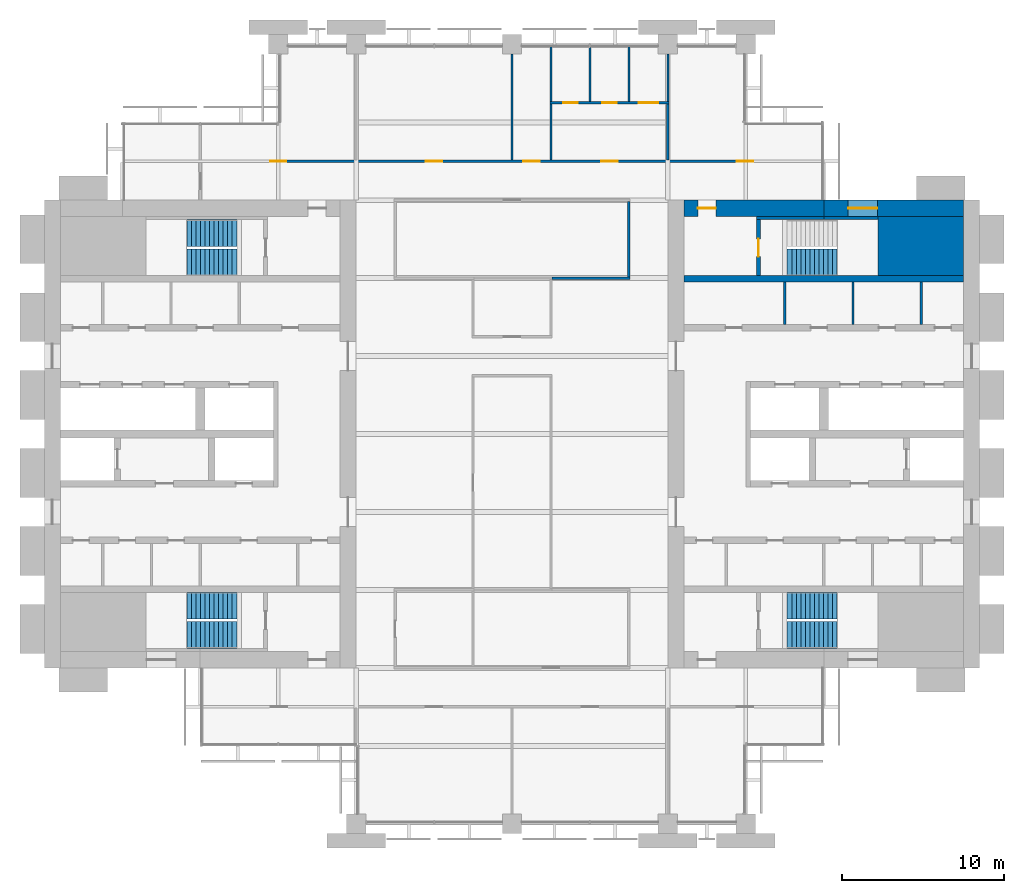
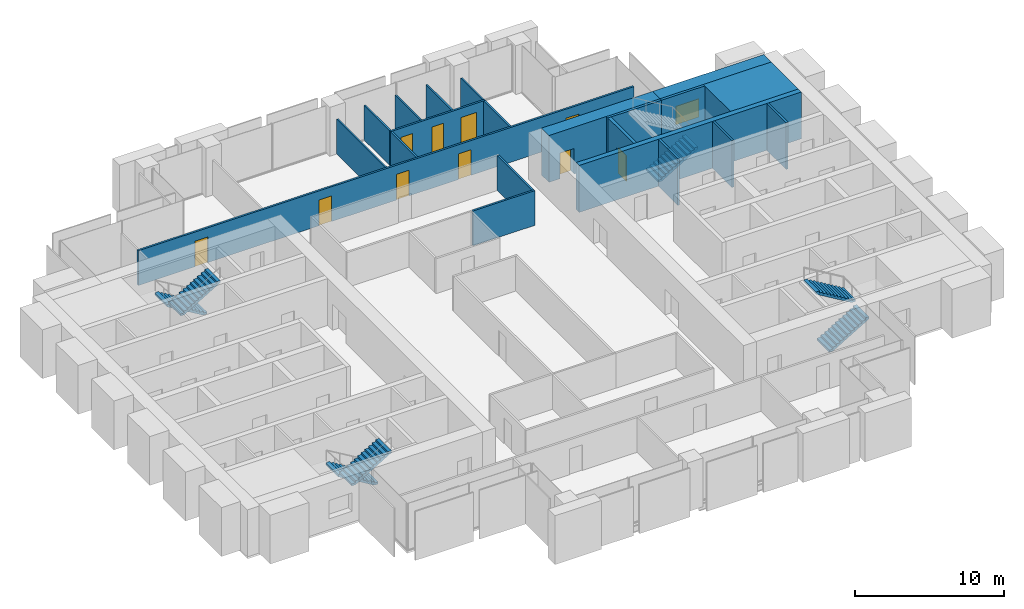
# One storey, part 12 of 14: 21 walls, 10 doors, 7 stair flights, 1 window, 11 openings, 4 elements without a shape of their own.
"""IFC4 building model written with IfcOpenShell, lengths in metres."""

from ifc_helpers import new_model, si_unit, direction, frame, frame_2d, origin, place, context, subcontext, project, spatial, polyline, rectangle, outline, extrude, material, layer, layer_set, type_object, element, fill, aggregate, save


model = new_model("IFC4")

# Units and contexts
model_context = context("Model", 3, precision=1e-05, world=origin(), true_north=direction((0.0, 1.0)))
body_context = subcontext(model_context, "Body", "Model", "MODEL_VIEW")
ifc_project = project(units=[si_unit("LENGTHUNIT", "METRE"), si_unit("AREAUNIT", "SQUARE_METRE"), si_unit("VOLUMEUNIT", "CUBIC_METRE"), si_unit("PLANEANGLEUNIT", "RADIAN"), si_unit("MASSUNIT", "GRAM", prefix="KILO")], contexts=[model_context])

# Site, building, storey
site_placement = place(None, origin())
site = spatial("IfcSite", under=ifc_project, at=site_placement, CompositionType="ELEMENT")
building_placement = place(site_placement, origin())
building = spatial("IfcBuilding", under=site, at=building_placement, Name="Baori Bourse Tower", CompositionType="ELEMENT")
storey_placement = place(building_placement, frame((0.0, 0.0, 160.10009765625)))
storey = spatial("IfcBuildingStorey", under=building, at=storey_placement, Name="L35", CompositionType="ELEMENT", Elevation=160.10009765625)

# Walls
ifc_material_1 = material(Name="Concrete f'c 60 MPa", Category="concrete")
wall_type_1 = type_object("IfcWallType", Name="Core corner block f'c 60", PredefinedType="SHEAR", material=ifc_material_1)
wall_1_placement = place(storey_placement, frame((51.35009765625, 35.574951171875, 0.0), z_axis=(0.0, 0.0, 1.0), x_axis=(1.0, 0.0, 0.0)))
element("IfcWall", 1, at=wall_1_placement, inside=storey, type_object=wall_type_1, Name="Core wall E27", PredefinedType="SHEAR", context=body_context, shape_type="SweptSolid", body=[
    extrude(rectangle(XDim=5.25, YDim=3.64990234375, at=frame_2d((2.625, 0.0))), origin(), (0.0, 0.0, 1.0), 3.83984375),
])
ifc_material_2 = material(Name="Blockwork partition", Category="masonry")
ifc_layer_1 = layer(ifc_material_2, 0.14990234375)
ifc_layer_set_1 = layer_set([ifc_layer_1], Name="Core partition 150")
wall_type_2 = type_object("IfcWallType", Name="Core partition 150", PredefinedType="PARTITIONING", material=ifc_layer_set_1)
for number, where, z_axis, x_axis, name in (
    (2, (54.0, 30.75, 0.0), (0.0, 0.0, 1.0), (0.0, 1.0, 0.0), "Partition wall E23"),
    (3, (49.800048828125, 30.75, 0.0), (0.0, 0.0, 1.0), (0.0, 1.0, 0.0), "Partition wall E24"),
    (4, (45.60009765625, 30.75, 0.0), (0.0, 0.0, 1.0), (0.0, 1.0, 0.0), "Partition wall E25"),
):
    element("IfcWall", number, at=place(storey_placement, frame(where, z_axis=z_axis, x_axis=x_axis)), inside=storey, type_object=wall_type_2, Name=name, PredefinedType="PARTITIONING", context=body_context, shape_type="SweptSolid", body=[
        extrude(rectangle(XDim=2.60009765625, YDim=0.14990234375, at=frame_2d((1.300048828125, 0.0))), origin(), (0.0, 0.0, 1.0), 3.83984375),
    ])

# Wall, opening, window
ifc_material_3 = material(Name="Concrete f'c 60 MPa", Category="concrete")
ifc_layer_2 = layer(ifc_material_3, 1.0)
ifc_layer_set_2 = layer_set([ifc_layer_2], Name="Core wall 1000 f'c 60")
wall_type_3 = type_object("IfcWallType", Name="Core wall 1000 f'c 60", PredefinedType="SHEAR", material=ifc_layer_set_2)
wall_2_placement = place(storey_placement, frame((48.0, 37.89990234375, 0.0), z_axis=(0.0, 0.0, 1.0), x_axis=(1.0, 0.0, 0.0)))
wall_2 = element("IfcWall", 5, at=wall_2_placement, inside=storey, type_object=wall_type_3, Name="Core wall E31", PredefinedType="SHEAR", context=body_context, shape_type="SweptSolid", body=[
    extrude(rectangle(XDim=8.60009765625, YDim=1.0, at=frame_2d((4.300048828125, 0.0))), origin(), (0.0, 0.0, 1.0), 3.83984375),
])
opening_1_placement = place(wall_2_placement, frame((1.5, 0.0, 0.89990234375)))
opening_1 = element("IfcOpeningElement", 6, at=opening_1_placement, cuts=wall_2, Name="Opening L35-KW204", PredefinedType="OPENING", context=body_context, shape_type="SweptSolid", body=[
    extrude(rectangle(XDim=1.800048828125, YDim=1.5, at=frame_2d((0.89990234375, 0.75))), frame((0.0, 0.510009765625, 0.0), z_axis=(0.0, -1.0, 0.0), x_axis=(1.0, 0.0, 0.0)), (0.0, 0.0, 1.0), 1.02001953125),
])
ifc_material_4 = material(Name="Pale anodised aluminium", Category="aluminium")
window_type = type_object("IfcWindowType", Name="Stair window 1800 x 1500", PartitioningType="SINGLE_PANEL", PredefinedType="WINDOW", material=ifc_material_4)
window_placement = place(opening_1_placement, origin())
window = element("IfcWindow", 7, at=window_placement, inside=storey, type_object=window_type, Name="Stair window E L35 4", OverallHeight=1.5, OverallWidth=1.800048828125, PartitioningType="SINGLE_PANEL", PredefinedType="WINDOW", context=body_context, shape_type="SweptSolid", body=[
    extrude(rectangle(XDim=1.800048828125, YDim=1.5, at=frame_2d((0.89990234375, 0.75))), frame((0.0, 0.030029296875, 0.0), z_axis=(0.0, -1.0, 0.0), x_axis=(1.0, 0.0, 0.0)), (0.0, 0.0, 1.0), 0.06005859375),
])
fill(opening_1, window)

# Wall, opening, door
wall_3_placement = place(storey_placement, frame((39.39990234375, 37.89990234375, 0.0), z_axis=(0.0, 0.0, 1.0), x_axis=(1.0, 0.0, 0.0)))
wall_3 = element("IfcWall", 8, at=wall_3_placement, inside=storey, type_object=wall_type_3, Name="Core wall E32", PredefinedType="SHEAR", context=body_context, shape_type="SweptSolid", body=[
    extrude(rectangle(XDim=8.60009765625, YDim=1.0, at=frame_2d((4.300048828125, 0.0))), origin(), (0.0, 0.0, 1.0), 3.83984375),
])
opening_2_placement = place(wall_3_placement, frame((0.85009765625, 0.0, 0.0)))
opening_2 = element("IfcOpeningElement", 9, at=opening_2_placement, cuts=wall_3, Name="Opening L35-D204", PredefinedType="OPENING", context=body_context, shape_type="SweptSolid", body=[
    extrude(rectangle(XDim=1.10009765625, YDim=2.10009765625, at=frame_2d((0.550048828125, 1.050048828125))), frame((0.0, 0.510009765625, 0.0), z_axis=(0.0, -1.0, 0.0), x_axis=(1.0, 0.0, 0.0)), (0.0, 0.0, 1.0), 1.02001953125),
])
ifc_material_5 = material(Name="Painted steel door", Category="steel")
door_type_1 = type_object("IfcDoorType", Name="Stair door 1100", OperationType="SINGLE_SWING_LEFT", PredefinedType="DOOR", material=ifc_material_5)
door_1_placement = place(opening_2_placement, origin())
door_1 = element("IfcDoor", 10, at=door_1_placement, inside=storey, type_object=door_type_1, Name="Stair vestibule door B E L35", OperationType="SINGLE_SWING_LEFT", OverallHeight=2.10009765625, OverallWidth=1.10009765625, PredefinedType="DOOR", context=body_context, shape_type="SweptSolid", body=[
    extrude(rectangle(XDim=1.10009765625, YDim=2.10009765625, at=frame_2d((0.550048828125, 1.050048828125))), frame((0.0, 0.02490234375, 0.0), z_axis=(0.0, -1.0, 0.0), x_axis=(1.0, 0.0, 0.0)), (0.0, 0.0, 1.0), 0.050048828125),
])
fill(opening_2, door_1)

# Wall
ifc_material_6 = material(Name="Gypsum board partition")
ifc_layer_3 = layer(ifc_material_6, 0.14990234375)
ifc_layer_set_3 = layer_set([ifc_layer_3], Name="Corridor partition 150")
wall_type_4 = type_object("IfcWallType", Name="Corridor partition 150", PredefinedType="PARTITIONING", material=ifc_layer_set_3)
wall_4_placement = place(storey_placement, frame((31.27490234375, 33.60009765625, 0.0), z_axis=(0.0, 0.0, 1.0), x_axis=(1.0, 0.0, 0.0)))
element("IfcWall", 11, at=wall_4_placement, inside=storey, type_object=wall_type_4, Name="Partition", PredefinedType="PARTITIONING", context=body_context, shape_type="SweptSolid", body=[
    extrude(rectangle(XDim=4.800048828125, YDim=0.14990234375, at=frame_2d((2.39990234375, 0.0))), origin(), (0.0, 0.0, 1.0), 2.849365234375),
])

# Wall, openings, doors
wall_5_placement = place(storey_placement, frame((9.52490234375, 40.800048828125, 0.0), z_axis=(0.0, 0.0, 1.0), x_axis=(1.0, 0.0, 0.0)))
wall_5 = element("IfcWall", 12, at=wall_5_placement, inside=storey, type_object=wall_type_4, Name="Partition", PredefinedType="PARTITIONING", context=body_context, shape_type="SweptSolid", body=[
    extrude(rectangle(XDim=38.375, YDim=0.14990234375, at=frame_2d((19.1875, 0.0))), origin(), (0.0, 0.0, 1.0), 2.849365234375),
])
opening_3_placement = place(wall_5_placement, frame((4.375, 0.0, 0.0)))
opening_3 = element("IfcOpeningElement", 13, at=opening_3_placement, cuts=wall_5, Name="Opening L35-D08", PredefinedType="OPENING", context=body_context, shape_type="SweptSolid", body=[
    extrude(rectangle(XDim=1.0, YDim=2.10009765625, at=frame_2d((0.5, 1.050048828125))), frame((0.0, 0.0849609375, 0.0), z_axis=(0.0, -1.0, 0.0), x_axis=(1.0, 0.0, 0.0)), (0.0, 0.0, 1.0), 0.169921875),
])
opening_4_placement = place(wall_5_placement, frame((13.97509765625, 0.0, 0.0)))
opening_4 = element("IfcOpeningElement", 14, at=opening_4_placement, cuts=wall_5, Name="Opening L35-D09", PredefinedType="OPENING", context=body_context, shape_type="SweptSolid", body=[
    extrude(rectangle(XDim=1.0, YDim=2.10009765625, at=frame_2d((0.5, 1.050048828125))), frame((0.0, 0.0849609375, 0.0), z_axis=(0.0, -1.0, 0.0), x_axis=(1.0, 0.0, 0.0)), (0.0, 0.0, 1.0), 0.169921875),
])
opening_5_placement = place(wall_5_placement, frame((19.97509765625, 0.0, 0.0)))
opening_5 = element("IfcOpeningElement", 15, at=opening_5_placement, cuts=wall_5, Name="Opening L35-D10", PredefinedType="OPENING", context=body_context, shape_type="SweptSolid", body=[
    extrude(rectangle(XDim=1.0, YDim=2.10009765625, at=frame_2d((0.5, 1.050048828125))), frame((0.0, 0.0849609375, 0.0), z_axis=(0.0, -1.0, 0.0), x_axis=(1.0, 0.0, 0.0)), (0.0, 0.0, 1.0), 0.169921875),
])
opening_6_placement = place(wall_5_placement, frame((24.77490234375, 0.0, 0.0)))
opening_6 = element("IfcOpeningElement", 16, at=opening_6_placement, cuts=wall_5, Name="Opening L35-D11", PredefinedType="OPENING", context=body_context, shape_type="SweptSolid", body=[
    extrude(rectangle(XDim=1.0, YDim=2.10009765625, at=frame_2d((0.5, 1.050048828125))), frame((0.0, 0.0849609375, 0.0), z_axis=(0.0, -1.0, 0.0), x_axis=(1.0, 0.0, 0.0)), (0.0, 0.0, 1.0), 0.169921875),
])
opening_7_placement = place(wall_5_placement, frame((33.125, 0.0, 0.0)))
opening_7 = element("IfcOpeningElement", 17, at=opening_7_placement, cuts=wall_5, Name="Opening L35-D12", PredefinedType="OPENING", context=body_context, shape_type="SweptSolid", body=[
    extrude(rectangle(XDim=1.0, YDim=2.10009765625, at=frame_2d((0.5, 1.050048828125))), frame((0.0, 0.0849609375, 0.0), z_axis=(0.0, -1.0, 0.0), x_axis=(1.0, 0.0, 0.0)), (0.0, 0.0, 1.0), 0.169921875),
])
ifc_material_7 = material(Name="Timber door leaf", Category="wood")
door_type_2 = type_object("IfcDoorType", Name="Door 1000 x 2100", OperationType="SINGLE_SWING_LEFT", PredefinedType="DOOR", material=ifc_material_7)
door_2_placement = place(opening_3_placement, origin())
door_2 = element("IfcDoor", 18, at=door_2_placement, inside=storey, type_object=door_type_2, Name="Door", OperationType="SINGLE_SWING_RIGHT", OverallHeight=2.10009765625, OverallWidth=1.0, PredefinedType="DOOR", context=body_context, shape_type="SweptSolid", body=[
    extrude(rectangle(XDim=1.0, YDim=2.10009765625, at=frame_2d((0.5, 1.050048828125))), frame((0.0, 0.02490234375, 0.0), z_axis=(0.0, -1.0, 0.0), x_axis=(1.0, 0.0, 0.0)), (0.0, 0.0, 1.0), 0.050048828125),
])
fill(opening_3, door_2)
door_3_placement = place(opening_4_placement, origin())
door_3 = element("IfcDoor", 19, at=door_3_placement, inside=storey, type_object=door_type_2, Name="Door", OperationType="SINGLE_SWING_RIGHT", OverallHeight=2.10009765625, OverallWidth=1.0, PredefinedType="DOOR", context=body_context, shape_type="SweptSolid", body=[
    extrude(rectangle(XDim=1.0, YDim=2.10009765625, at=frame_2d((0.5, 1.050048828125))), frame((0.0, 0.02490234375, 0.0), z_axis=(0.0, -1.0, 0.0), x_axis=(1.0, 0.0, 0.0)), (0.0, 0.0, 1.0), 0.050048828125),
])
fill(opening_4, door_3)
door_4_placement = place(opening_5_placement, origin())
door_4 = element("IfcDoor", 20, at=door_4_placement, inside=storey, type_object=door_type_2, Name="Door", OperationType="SINGLE_SWING_LEFT", OverallHeight=2.10009765625, OverallWidth=1.0, PredefinedType="DOOR", context=body_context, shape_type="SweptSolid", body=[
    extrude(rectangle(XDim=1.0, YDim=2.10009765625, at=frame_2d((0.5, 1.050048828125))), frame((0.0, 0.02490234375, 0.0), z_axis=(0.0, -1.0, 0.0), x_axis=(1.0, 0.0, 0.0)), (0.0, 0.0, 1.0), 0.050048828125),
])
fill(opening_5, door_4)
door_5_placement = place(opening_6_placement, origin())
door_5 = element("IfcDoor", 21, at=door_5_placement, inside=storey, type_object=door_type_2, Name="Door", OperationType="SINGLE_SWING_RIGHT", OverallHeight=2.10009765625, OverallWidth=1.0, PredefinedType="DOOR", context=body_context, shape_type="SweptSolid", body=[
    extrude(rectangle(XDim=1.0, YDim=2.10009765625, at=frame_2d((0.5, 1.050048828125))), frame((0.0, 0.02490234375, 0.0), z_axis=(0.0, -1.0, 0.0), x_axis=(1.0, 0.0, 0.0)), (0.0, 0.0, 1.0), 0.050048828125),
])
fill(opening_6, door_5)
door_6_placement = place(opening_7_placement, origin())
door_6 = element("IfcDoor", 22, at=door_6_placement, inside=storey, type_object=door_type_2, Name="Door", OperationType="SINGLE_SWING_LEFT", OverallHeight=2.10009765625, OverallWidth=1.0, PredefinedType="DOOR", context=body_context, shape_type="SweptSolid", body=[
    extrude(rectangle(XDim=1.0, YDim=2.10009765625, at=frame_2d((0.5, 1.050048828125))), frame((0.0, 0.02490234375, 0.0), z_axis=(0.0, -1.0, 0.0), x_axis=(1.0, 0.0, 0.0)), (0.0, 0.0, 1.0), 0.050048828125),
])
fill(opening_7, door_6)

wall_6_placement = place(storey_placement, frame((31.125, 44.39990234375, 0.0), z_axis=(0.0, 0.0, 1.0), x_axis=(1.0, 0.0, 0.0)))
wall_6 = element("IfcWall", 23, at=wall_6_placement, inside=storey, type_object=wall_type_4, Name="Partition", PredefinedType="PARTITIONING", context=body_context, shape_type="SweptSolid", body=[
    extrude(rectangle(XDim=7.35009765625, YDim=0.14990234375, at=frame_2d((3.675048828125, 0.0))), origin(), (0.0, 0.0, 1.0), 2.849365234375),
])
opening_8_placement = place(wall_6_placement, frame((0.824951171875, 0.0, 0.0)))
opening_8 = element("IfcOpeningElement", 24, at=opening_8_placement, cuts=wall_6, Name="Opening L35-D13", PredefinedType="OPENING", context=body_context, shape_type="SweptSolid", body=[
    extrude(rectangle(XDim=0.89990234375, YDim=2.10009765625, at=frame_2d((0.449951171875, 1.050048828125))), frame((0.0, 0.0849609375, 0.0), z_axis=(0.0, -1.0, 0.0), x_axis=(1.0, 0.0, 0.0)), (0.0, 0.0, 1.0), 0.169921875),
])
opening_9_placement = place(wall_6_placement, frame((3.22509765625, 0.0, 0.0)))
opening_9 = element("IfcOpeningElement", 25, at=opening_9_placement, cuts=wall_6, Name="Opening L35-D14", PredefinedType="OPENING", context=body_context, shape_type="SweptSolid", body=[
    extrude(rectangle(XDim=0.89990234375, YDim=2.10009765625, at=frame_2d((0.449951171875, 1.050048828125))), frame((0.0, 0.0849609375, 0.0), z_axis=(0.0, -1.0, 0.0), x_axis=(1.0, 0.0, 0.0)), (0.0, 0.0, 1.0), 0.169921875),
])
opening_10_placement = place(wall_6_placement, frame((5.47509765625, 0.0, 0.0)))
opening_10 = element("IfcOpeningElement", 26, at=opening_10_placement, cuts=wall_6, Name="Opening L35-D15", PredefinedType="OPENING", context=body_context, shape_type="SweptSolid", body=[
    extrude(rectangle(XDim=1.199951171875, YDim=2.10009765625, at=frame_2d((0.60009765625, 1.050048828125))), frame((0.0, 0.0849609375, 0.0), z_axis=(0.0, -1.0, 0.0), x_axis=(1.0, 0.0, 0.0)), (0.0, 0.0, 1.0), 0.169921875),
])
ifc_material_8 = material(Name="Timber door leaf", Category="wood")
door_type_3 = type_object("IfcDoorType", Name="Door 1200 x 2100", OperationType="SINGLE_SWING_LEFT", PredefinedType="DOOR", material=ifc_material_8)
door_7_placement = place(opening_10_placement, origin())
door_7 = element("IfcDoor", 27, at=door_7_placement, inside=storey, type_object=door_type_3, Name="Door", OperationType="SINGLE_SWING_LEFT", OverallHeight=2.10009765625, OverallWidth=1.199951171875, PredefinedType="DOOR", context=body_context, shape_type="SweptSolid", body=[
    extrude(rectangle(XDim=1.199951171875, YDim=2.10009765625, at=frame_2d((0.60009765625, 1.050048828125))), frame((0.0, 0.02490234375, 0.0), z_axis=(0.0, -1.0, 0.0), x_axis=(1.0, 0.0, 0.0)), (0.0, 0.0, 1.0), 0.050048828125),
])
fill(opening_10, door_7)
ifc_material_9 = material(Name="Timber door leaf", Category="wood")
door_type_4 = type_object("IfcDoorType", Name="Door 900 x 2100", OperationType="SINGLE_SWING_LEFT", PredefinedType="DOOR", material=ifc_material_9)
door_8_placement = place(opening_8_placement, origin())
door_8 = element("IfcDoor", 28, at=door_8_placement, inside=storey, type_object=door_type_4, Name="Door", OperationType="SINGLE_SWING_RIGHT", OverallHeight=2.10009765625, OverallWidth=0.89990234375, PredefinedType="DOOR", context=body_context, shape_type="SweptSolid", body=[
    extrude(rectangle(XDim=0.89990234375, YDim=2.10009765625, at=frame_2d((0.449951171875, 1.050048828125))), frame((0.0, 0.02490234375, 0.0), z_axis=(0.0, -1.0, 0.0), x_axis=(1.0, 0.0, 0.0)), (0.0, 0.0, 1.0), 0.050048828125),
])
fill(opening_8, door_8)
door_9_placement = place(opening_9_placement, origin())
door_9 = element("IfcDoor", 29, at=door_9_placement, inside=storey, type_object=door_type_4, Name="Door", OperationType="SINGLE_SWING_RIGHT", OverallHeight=2.10009765625, OverallWidth=0.89990234375, PredefinedType="DOOR", context=body_context, shape_type="SweptSolid", body=[
    extrude(rectangle(XDim=0.89990234375, YDim=2.10009765625, at=frame_2d((0.449951171875, 1.050048828125))), frame((0.0, 0.02490234375, 0.0), z_axis=(0.0, -1.0, 0.0), x_axis=(1.0, 0.0, 0.0)), (0.0, 0.0, 1.0), 0.050048828125),
])
fill(opening_9, door_9)

# Walls
wall_7_placement = place(storey_placement, frame((31.199951171875, 40.875, 0.0), z_axis=(0.0, 0.0, 1.0), x_axis=(0.0, 1.0, 0.0)))
element("IfcWall", 30, at=wall_7_placement, inside=storey, type_object=wall_type_4, Name="Partition", PredefinedType="PARTITIONING", context=body_context, shape_type="SweptSolid", body=[
    extrude(rectangle(XDim=3.449951171875, YDim=0.14990234375, at=frame_2d((1.72509765625, 0.0))), origin(), (0.0, 0.0, 1.0), 2.849365234375),
])
wall_8_placement = place(storey_placement, frame((36.0, 33.675048828125, 0.0), z_axis=(0.0, 0.0, 1.0), x_axis=(0.0, 1.0, 0.0)))
element("IfcWall", 31, at=wall_8_placement, inside=storey, type_object=wall_type_4, Name="Partition", PredefinedType="PARTITIONING", context=body_context, shape_type="SweptSolid", body=[
    extrude(rectangle(XDim=4.64990234375, YDim=0.14990234375, at=frame_2d((2.324951171875, 0.0))), origin(), (0.0, 0.0, 1.0), 2.849365234375),
])
wall_9_placement = place(storey_placement, frame((38.39990234375, 40.875, 0.0), z_axis=(0.0, 0.0, 1.0), x_axis=(0.0, 1.0, 0.0)))
element("IfcWall", 32, at=wall_9_placement, inside=storey, type_object=wall_type_4, Name="Partition", PredefinedType="PARTITIONING", context=body_context, shape_type="SweptSolid", body=[
    extrude(rectangle(XDim=3.449951171875, YDim=0.14990234375, at=frame_2d((1.72509765625, 0.0))), origin(), (0.0, 0.0, 1.0), 2.849365234375),
])
ifc_material_10 = material(Name="Gypsum board partition")
ifc_layer_4 = layer(ifc_material_10, 0.125)
ifc_layer_set_4 = layer_set([ifc_layer_4], Name="Partition 125")
wall_type_5 = type_object("IfcWallType", Name="Partition 125", PredefinedType="PARTITIONING", material=ifc_layer_set_4)
wall_10_placement = place(storey_placement, frame((28.800048828125, 40.875, 0.0), z_axis=(0.0, 0.0, 1.0), x_axis=(0.0, 1.0, 0.0)))
element("IfcWall", 33, at=wall_10_placement, inside=storey, type_object=wall_type_5, Name="Partition", PredefinedType="PARTITIONING", context=body_context, shape_type="SweptSolid", body=[
    extrude(rectangle(XDim=6.52490234375, YDim=0.125, at=frame_2d((3.262451171875, 0.0))), origin(), (0.0, 0.0, 1.0), 2.849365234375),
])
for number, where, z_axis, x_axis, name in (
    (34, (31.199951171875, 44.47509765625, 0.0), (0.0, 0.0, 1.0), (0.0, 1.0, 0.0), "Partition"),
    (35, (33.60009765625, 44.47509765625, 0.0), (0.0, 0.0, 1.0), (0.0, 1.0, 0.0), "Partition"),
    (36, (36.0, 44.47509765625, 0.0), (0.0, 0.0, 1.0), (0.0, 1.0, 0.0), "Partition"),
):
    element("IfcWall", number, at=place(storey_placement, frame(where, z_axis=z_axis, x_axis=x_axis)), inside=storey, type_object=wall_type_5, Name=name, PredefinedType="PARTITIONING", context=body_context, shape_type="SweptSolid", body=[
        extrude(rectangle(XDim=3.4248046875, YDim=0.125, at=frame_2d((1.71240234375, 0.0))), origin(), (0.0, 0.0, 1.0), 2.849365234375),
    ])
wall_11_placement = place(storey_placement, frame((38.39990234375, 44.47509765625, 0.0), z_axis=(0.0, 0.0, 1.0), x_axis=(0.0, 1.0, 0.0)))
element("IfcWall", 37, at=wall_11_placement, inside=storey, type_object=wall_type_5, Name="Partition", PredefinedType="PARTITIONING", context=body_context, shape_type="SweptSolid", body=[
    extrude(rectangle(XDim=2.9248046875, YDim=0.125, at=frame_2d((1.46240234375, 0.0))), origin(), (0.0, 0.0, 1.0), 2.849365234375),
])
ifc_material_11 = material(Name="Concrete f'c 60 MPa", Category="concrete")
ifc_layer_5 = layer(ifc_material_11, 0.199951171875)
ifc_layer_set_5 = layer_set([ifc_layer_5], Name="Shaft wall 200 f'c 60")
wall_type_6 = type_object("IfcWallType", Name="Shaft wall 200 f'c 60", PredefinedType="SHEAR", material=ifc_layer_set_5)
wall_12_placement = place(storey_placement, frame((48.0, 37.300048828125, 0.0), z_axis=(0.0, 0.0, 1.0), x_axis=(1.0, 0.0, 0.0)))
element("IfcWall", 38, at=wall_12_placement, inside=storey, type_object=wall_type_6, Name="Core wall E29", PredefinedType="SHEAR", context=body_context, shape_type="SweptSolid", body=[
    extrude(rectangle(XDim=3.35009765625, YDim=0.199951171875, at=frame_2d((1.675048828125, 0.0))), origin(), (0.0, 0.0, 1.0), 3.83984375),
])
wall_13_placement = place(storey_placement, frame((43.85009765625, 37.300048828125, 0.0), z_axis=(0.0, 0.0, 1.0), x_axis=(1.0, 0.0, 0.0)))
element("IfcWall", 39, at=wall_13_placement, inside=storey, type_object=wall_type_6, Name="Core wall E30", PredefinedType="SHEAR", context=body_context, shape_type="SweptSolid", body=[
    extrude(rectangle(XDim=4.14990234375, YDim=0.199951171875, at=frame_2d((2.074951171875, 0.0))), origin(), (0.0, 0.0, 1.0), 3.83984375),
])

# Wall, opening, door
ifc_material_12 = material(Name="Concrete f'c 60 MPa", Category="concrete")
ifc_layer_6 = layer(ifc_material_12, 0.25)
ifc_layer_set_6 = layer_set([ifc_layer_6], Name="Shaft wall 250 f'c 60")
wall_type_7 = type_object("IfcWallType", Name="Shaft wall 250 f'c 60", PredefinedType="SHEAR", material=ifc_layer_set_6)
wall_14_placement = place(storey_placement, frame((43.97509765625, 33.75, 0.0), z_axis=(0.0, 0.0, 1.0), x_axis=(0.0, 1.0, 0.0)))
wall_14 = element("IfcWall", 40, at=wall_14_placement, inside=storey, type_object=wall_type_7, Name="Core wall E28", PredefinedType="SHEAR", context=body_context, shape_type="SweptSolid", body=[
    extrude(rectangle(XDim=3.449951171875, YDim=0.25, at=frame_2d((1.72509765625, 0.0))), origin(), (0.0, 0.0, 1.0), 3.83984375),
])
opening_11_placement = place(wall_14_placement, frame((1.175048828125, 0.0, 0.0)))
opening_11 = element("IfcOpeningElement", 41, at=opening_11_placement, cuts=wall_14, Name="Opening L35-D203", PredefinedType="OPENING", context=body_context, shape_type="SweptSolid", body=[
    extrude(rectangle(XDim=1.10009765625, YDim=2.10009765625, at=frame_2d((0.550048828125, 1.050048828125))), frame((0.0, 0.135009765625, 0.0), z_axis=(0.0, -1.0, 0.0), x_axis=(1.0, 0.0, 0.0)), (0.0, 0.0, 1.0), 0.27001953125),
])
door_10_placement = place(opening_11_placement, origin())
door_10 = element("IfcDoor", 42, at=door_10_placement, inside=storey, type_object=door_type_1, Name="Stair door B E L35", OperationType="SINGLE_SWING_LEFT", OverallHeight=2.10009765625, OverallWidth=1.10009765625, PredefinedType="DOOR", context=body_context, shape_type="SweptSolid", body=[
    extrude(rectangle(XDim=1.10009765625, YDim=2.10009765625, at=frame_2d((0.550048828125, 1.050048828125))), frame((0.0, 0.02490234375, 0.0), z_axis=(0.0, -1.0, 0.0), x_axis=(1.0, 0.0, 0.0)), (0.0, 0.0, 1.0), 0.050048828125),
])
fill(opening_11, door_10)

# Wall
ifc_material_13 = material(Name="Concrete f'c 60 MPa", Category="concrete")
ifc_layer_7 = layer(ifc_material_13, 0.39990234375)
ifc_layer_set_7 = layer_set([ifc_layer_7], Name="Shaft wall 400 f'c 60")
wall_type_8 = type_object("IfcWallType", Name="Shaft wall 400 f'c 60", PredefinedType="SHEAR", material=ifc_layer_set_7)
wall_15_placement = place(storey_placement, frame((39.39990234375, 33.550048828125, 0.0), z_axis=(0.0, 0.0, 1.0), x_axis=(1.0, 0.0, 0.0)))
element("IfcWall", 43, at=wall_15_placement, inside=storey, type_object=wall_type_8, Name="Core wall E26", PredefinedType="SHEAR", context=body_context, shape_type="SweptSolid", body=[
    extrude(rectangle(XDim=17.2001953125, YDim=0.39990234375, at=frame_2d((8.60009765625, 0.0))), origin(), (0.0, 0.0, 1.0), 3.83984375),
])

# Stair, stair flights
ifc_material_14 = material(Name="Concrete f'c 50 MPa", Category="concrete")
stair_type = type_object("IfcStairType", Name="Core stair", PredefinedType="HALF_TURN_STAIR", material=ifc_material_14)
stair_1_placement = place(storey_placement, origin())
stair_1 = element("IfcStair", 44, at=stair_1_placement, inside=storey, type_object=stair_type, Name="L35 Stair WA", PredefinedType="HALF_TURN_STAIR")
ifc_material_15 = material(Name="Concrete f'c 50 MPa", Category="concrete")
stair_flight_type = type_object("IfcStairFlightType", Name="Core stair flight", PredefinedType="STRAIGHT", material=ifc_material_15)
stair_flight_1_placement = place(storey_placement, frame((11.85009765625, 13.425048828125, 0.0), z_axis=(0.0, 0.0, 1.0), x_axis=(-1.0, 0.0, 0.0)))
stair_flight_1 = element("IfcStairFlight", 45, at=stair_flight_1_placement, type_object=stair_flight_type, Name="ST1 flight 1", NumberOfRisers=12, NumberOfTreads=11, PredefinedType="STRAIGHT", RiserHeight=0.166666667, TreadLength=0.28, context=body_context, shape_type="SweptSolid", body=[
    extrude(outline(polyline([(0.0, 0.0), (0.0, 0.166748046875), (0.280029296875, 0.166748046875), (0.280029296875, 0.333251953125), (0.56005859375, 0.333251953125), (0.56005859375, 0.5), (0.840087890625, 0.5), (0.840087890625, 0.666748046875), (1.1201171875, 0.666748046875), (1.1201171875, 0.833251953125), (1.39990234375, 0.833251953125), (1.39990234375, 1.0), (1.679931640625, 1.0), (1.679931640625, 1.166748046875), (1.9599609375, 1.166748046875), (1.9599609375, 1.333251953125), (2.239990234375, 1.333251953125), (2.239990234375, 1.5), (2.52001953125, 1.5), (2.52001953125, 1.666748046875), (2.800048828125, 1.666748046875), (2.800048828125, 1.833251953125), (3.080078125, 1.833251953125), (3.080078125, 2.0), (3.080078125, 1.658935546875), (0.29296875, 0.0), (0.0, 0.0)])), frame((0.0, 0.824951171875, 0.0), z_axis=(0.0, -1.0, 0.0), x_axis=(1.0, 0.0, 0.0)), (0.0, 0.0, 1.0), 1.64990234375),
])
stair_flight_2_placement = place(storey_placement, frame((8.77001953125, 11.625, 2.0), z_axis=(0.0, 0.0, 1.0), x_axis=(1.0, 0.0, 0.0)))
stair_flight_2 = element("IfcStairFlight", 46, at=stair_flight_2_placement, type_object=stair_flight_type, Name="ST1 flight 2", NumberOfRisers=12, NumberOfTreads=11, PredefinedType="STRAIGHT", RiserHeight=0.166666667, TreadLength=0.28, context=body_context, shape_type="SweptSolid", body=[
    extrude(outline(polyline([(0.0, 0.0), (0.0, 0.166748046875), (0.280029296875, 0.166748046875), (0.280029296875, 0.333251953125), (0.56005859375, 0.333251953125), (0.56005859375, 0.5), (0.840087890625, 0.5), (0.840087890625, 0.666748046875), (1.1201171875, 0.666748046875), (1.1201171875, 0.833251953125), (1.39990234375, 0.833251953125), (1.39990234375, 1.0), (1.679931640625, 1.0), (1.679931640625, 1.166748046875), (1.9599609375, 1.166748046875), (1.9599609375, 1.333251953125), (2.239990234375, 1.333251953125), (2.239990234375, 1.5), (2.52001953125, 1.5), (2.52001953125, 1.666748046875), (2.800048828125, 1.666748046875), (2.800048828125, 1.833251953125), (3.080078125, 1.833251953125), (3.080078125, 2.0), (3.080078125, 1.658935546875), (0.29296875, 0.0), (0.0, 0.0)])), frame((0.0, 0.824951171875, 0.0), z_axis=(0.0, -1.0, 0.0), x_axis=(1.0, 0.0, 0.0)), (0.0, 0.0, 1.0), 1.64990234375),
])
aggregate(stair_1, [stair_flight_1, stair_flight_2])

stair_2_placement = place(storey_placement, origin())
stair_2 = element("IfcStair", 47, at=stair_2_placement, inside=storey, type_object=stair_type, Name="L35 Stair WB", PredefinedType="HALF_TURN_STAIR")
stair_flight_3_placement = place(storey_placement, frame((11.85009765625, 36.375, 0.0), z_axis=(0.0, 0.0, 1.0), x_axis=(-1.0, 0.0, 0.0)))
stair_flight_3 = element("IfcStairFlight", 48, at=stair_flight_3_placement, type_object=stair_flight_type, Name="ST2 flight 1", NumberOfRisers=12, NumberOfTreads=11, PredefinedType="STRAIGHT", RiserHeight=0.166666667, TreadLength=0.28, context=body_context, shape_type="SweptSolid", body=[
    extrude(outline(polyline([(0.0, 0.0), (0.0, 0.166748046875), (0.280029296875, 0.166748046875), (0.280029296875, 0.333251953125), (0.56005859375, 0.333251953125), (0.56005859375, 0.5), (0.840087890625, 0.5), (0.840087890625, 0.666748046875), (1.1201171875, 0.666748046875), (1.1201171875, 0.833251953125), (1.39990234375, 0.833251953125), (1.39990234375, 1.0), (1.679931640625, 1.0), (1.679931640625, 1.166748046875), (1.9599609375, 1.166748046875), (1.9599609375, 1.333251953125), (2.239990234375, 1.333251953125), (2.239990234375, 1.5), (2.52001953125, 1.5), (2.52001953125, 1.666748046875), (2.800048828125, 1.666748046875), (2.800048828125, 1.833251953125), (3.080078125, 1.833251953125), (3.080078125, 2.0), (3.080078125, 1.658935546875), (0.29296875, 0.0), (0.0, 0.0)])), frame((0.0, 0.824951171875, 0.0), z_axis=(0.0, -1.0, 0.0), x_axis=(1.0, 0.0, 0.0)), (0.0, 0.0, 1.0), 1.64990234375),
])
stair_flight_4_placement = place(storey_placement, frame((8.77001953125, 34.574951171875, 2.0), z_axis=(0.0, 0.0, 1.0), x_axis=(1.0, 0.0, 0.0)))
stair_flight_4 = element("IfcStairFlight", 49, at=stair_flight_4_placement, type_object=stair_flight_type, Name="ST2 flight 2", NumberOfRisers=12, NumberOfTreads=11, PredefinedType="STRAIGHT", RiserHeight=0.166666667, TreadLength=0.28, context=body_context, shape_type="SweptSolid", body=[
    extrude(outline(polyline([(0.0, 0.0), (0.0, 0.166748046875), (0.280029296875, 0.166748046875), (0.280029296875, 0.333251953125), (0.56005859375, 0.333251953125), (0.56005859375, 0.5), (0.840087890625, 0.5), (0.840087890625, 0.666748046875), (1.1201171875, 0.666748046875), (1.1201171875, 0.833251953125), (1.39990234375, 0.833251953125), (1.39990234375, 1.0), (1.679931640625, 1.0), (1.679931640625, 1.166748046875), (1.9599609375, 1.166748046875), (1.9599609375, 1.333251953125), (2.239990234375, 1.333251953125), (2.239990234375, 1.5), (2.52001953125, 1.5), (2.52001953125, 1.666748046875), (2.800048828125, 1.666748046875), (2.800048828125, 1.833251953125), (3.080078125, 1.833251953125), (3.080078125, 2.0), (3.080078125, 1.658935546875), (0.29296875, 0.0), (0.0, 0.0)])), frame((0.0, 0.824951171875, 0.0), z_axis=(0.0, -1.0, 0.0), x_axis=(1.0, 0.0, 0.0)), (0.0, 0.0, 1.0), 1.64990234375),
])
aggregate(stair_2, [stair_flight_3, stair_flight_4])

stair_3_placement = place(storey_placement, origin())
stair_3 = element("IfcStair", 50, at=stair_3_placement, inside=storey, type_object=stair_type, Name="L35 Stair EA", PredefinedType="HALF_TURN_STAIR")
stair_flight_5_placement = place(storey_placement, frame((45.75, 11.625, 0.0), z_axis=(0.0, 0.0, 1.0), x_axis=(1.0, 0.0, 0.0)))
stair_flight_5 = element("IfcStairFlight", 51, at=stair_flight_5_placement, type_object=stair_flight_type, Name="ST3 flight 1", NumberOfRisers=12, NumberOfTreads=11, PredefinedType="STRAIGHT", RiserHeight=0.166666667, TreadLength=0.28, context=body_context, shape_type="SweptSolid", body=[
    extrude(outline(polyline([(0.0, 0.0), (0.0, 0.166748046875), (0.280029296875, 0.166748046875), (0.280029296875, 0.333251953125), (0.56005859375, 0.333251953125), (0.56005859375, 0.5), (0.840087890625, 0.5), (0.840087890625, 0.666748046875), (1.1201171875, 0.666748046875), (1.1201171875, 0.833251953125), (1.39990234375, 0.833251953125), (1.39990234375, 1.0), (1.679931640625, 1.0), (1.679931640625, 1.166748046875), (1.9599609375, 1.166748046875), (1.9599609375, 1.333251953125), (2.239990234375, 1.333251953125), (2.239990234375, 1.5), (2.52001953125, 1.5), (2.52001953125, 1.666748046875), (2.800048828125, 1.666748046875), (2.800048828125, 1.833251953125), (3.080078125, 1.833251953125), (3.080078125, 2.0), (3.080078125, 1.658935546875), (0.29296875, 0.0), (0.0, 0.0)])), frame((0.0, 0.824951171875, 0.0), z_axis=(0.0, -1.0, 0.0), x_axis=(1.0, 0.0, 0.0)), (0.0, 0.0, 1.0), 1.64990234375),
])
stair_flight_6_placement = place(storey_placement, frame((48.830078125, 13.425048828125, 2.0), z_axis=(0.0, 0.0, 1.0), x_axis=(-1.0, 0.0, 0.0)))
stair_flight_6 = element("IfcStairFlight", 52, at=stair_flight_6_placement, type_object=stair_flight_type, Name="ST3 flight 2", NumberOfRisers=12, NumberOfTreads=11, PredefinedType="STRAIGHT", RiserHeight=0.166666667, TreadLength=0.28, context=body_context, shape_type="SweptSolid", body=[
    extrude(outline(polyline([(0.0, 0.0), (0.0, 0.166748046875), (0.280029296875, 0.166748046875), (0.280029296875, 0.333251953125), (0.56005859375, 0.333251953125), (0.56005859375, 0.5), (0.840087890625, 0.5), (0.840087890625, 0.666748046875), (1.1201171875, 0.666748046875), (1.1201171875, 0.833251953125), (1.39990234375, 0.833251953125), (1.39990234375, 1.0), (1.679931640625, 1.0), (1.679931640625, 1.166748046875), (1.9599609375, 1.166748046875), (1.9599609375, 1.333251953125), (2.239990234375, 1.333251953125), (2.239990234375, 1.5), (2.52001953125, 1.5), (2.52001953125, 1.666748046875), (2.800048828125, 1.666748046875), (2.800048828125, 1.833251953125), (3.080078125, 1.833251953125), (3.080078125, 2.0), (3.080078125, 1.658935546875), (0.29296875, 0.0), (0.0, 0.0)])), frame((0.0, 0.824951171875, 0.0), z_axis=(0.0, -1.0, 0.0), x_axis=(1.0, 0.0, 0.0)), (0.0, 0.0, 1.0), 1.64990234375),
])
aggregate(stair_3, [stair_flight_5, stair_flight_6])

# Stair, stair flight
stair_4_placement = place(storey_placement, origin())
stair_4 = element("IfcStair", 53, at=stair_4_placement, inside=storey, type_object=stair_type, Name="L35 Stair EB", PredefinedType="HALF_TURN_STAIR")
stair_flight_7_placement = place(storey_placement, frame((45.75, 34.574951171875, 0.0), z_axis=(0.0, 0.0, 1.0), x_axis=(1.0, 0.0, 0.0)))
stair_flight_7 = element("IfcStairFlight", 54, at=stair_flight_7_placement, type_object=stair_flight_type, Name="ST4 flight 1", NumberOfRisers=12, NumberOfTreads=11, PredefinedType="STRAIGHT", RiserHeight=0.166666667, TreadLength=0.28, context=body_context, shape_type="SweptSolid", body=[
    extrude(outline(polyline([(0.0, 0.0), (0.0, 0.166748046875), (0.280029296875, 0.166748046875), (0.280029296875, 0.333251953125), (0.56005859375, 0.333251953125), (0.56005859375, 0.5), (0.840087890625, 0.5), (0.840087890625, 0.666748046875), (1.1201171875, 0.666748046875), (1.1201171875, 0.833251953125), (1.39990234375, 0.833251953125), (1.39990234375, 1.0), (1.679931640625, 1.0), (1.679931640625, 1.166748046875), (1.9599609375, 1.166748046875), (1.9599609375, 1.333251953125), (2.239990234375, 1.333251953125), (2.239990234375, 1.5), (2.52001953125, 1.5), (2.52001953125, 1.666748046875), (2.800048828125, 1.666748046875), (2.800048828125, 1.833251953125), (3.080078125, 1.833251953125), (3.080078125, 2.0), (3.080078125, 1.658935546875), (0.29296875, 0.0), (0.0, 0.0)])), frame((0.0, 0.824951171875, 0.0), z_axis=(0.0, -1.0, 0.0), x_axis=(1.0, 0.0, 0.0)), (0.0, 0.0, 1.0), 1.64990234375),
])
aggregate(stair_4, [stair_flight_7])

save(model, "model.ifc")
